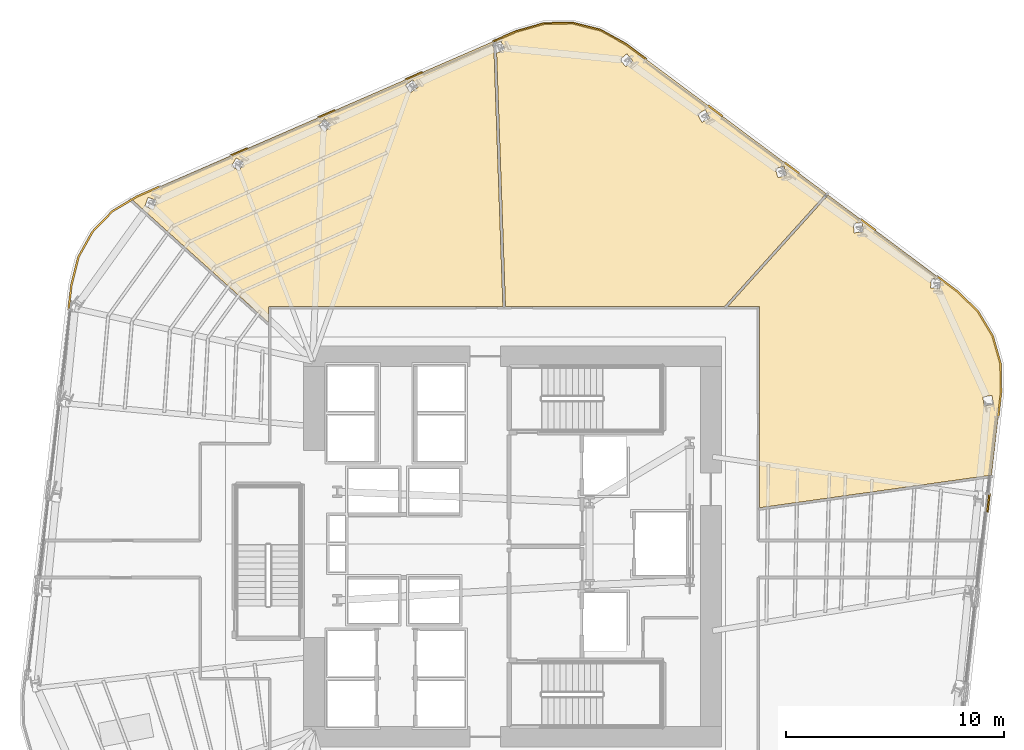
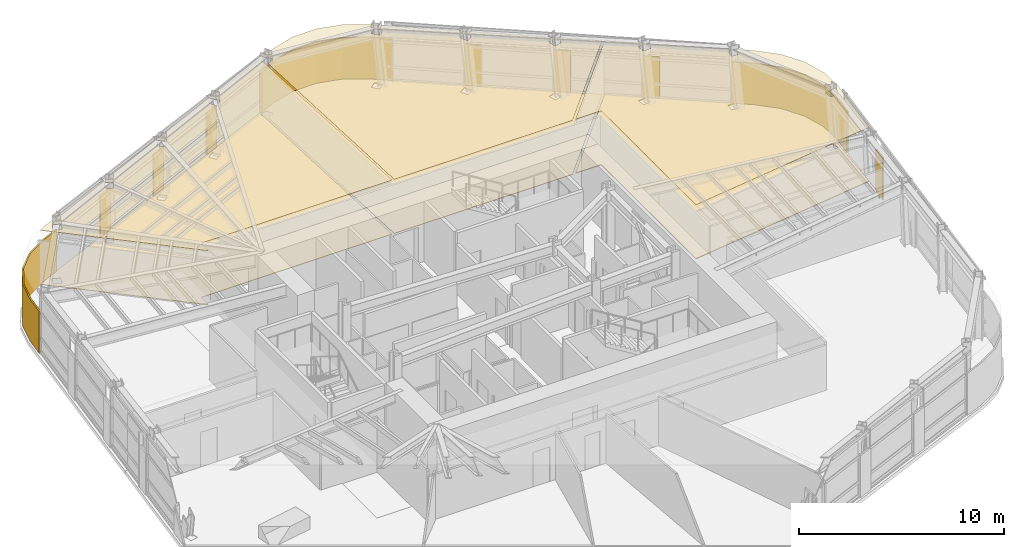
# One storey, part 15 of 16: 16 coverings.
"""IFC4 building model written with IfcOpenShell, lengths in metres."""

from ifc_helpers import new_model, si_unit, direction, frame, origin, place, context, subcontext, project, spatial, polyline, outline, extrude, material, layer, layer_set, type_object, element, save


model = new_model("IFC4")

# Units and contexts
model_context = context("Model", 3, precision=1e-05, world=origin(), true_north=direction((0.0, 1.0)))
body_context = subcontext(model_context, "Body", "Model", "MODEL_VIEW")
ifc_project = project(units=[si_unit("LENGTHUNIT", "METRE"), si_unit("AREAUNIT", "SQUARE_METRE"), si_unit("VOLUMEUNIT", "CUBIC_METRE"), si_unit("PLANEANGLEUNIT", "RADIAN"), si_unit("MASSUNIT", "GRAM", prefix="KILO")], contexts=[model_context])

# Site, building, storey
site_placement = place(None, origin())
site = spatial("IfcSite", under=ifc_project, at=site_placement, CompositionType="ELEMENT")
building_placement = place(site_placement, origin())
building = spatial("IfcBuilding", under=site, at=building_placement, Name="Valkerne Bourse Tower", CompositionType="ELEMENT")
storey_placement = place(building_placement, frame((0.0, 0.0, 123.800048828125)))
storey = spatial("IfcBuildingStorey", under=building, at=storey_placement, Name="L31", CompositionType="ELEMENT", Elevation=123.800048828125)

# Coverings
ifc_material_1 = material(Name="Mineral Fiber Acoustic Ceiling Tile", Category="acoustic")
ifc_layer_1 = layer(ifc_material_1, 0.02490234375)
ifc_layer_set_1 = layer_set([ifc_layer_1], Name="Mineral Fiber Acoustic Ceiling Tile")
covering_type_1 = type_object("IfcCoveringType", Name="COV-CEIL-ACT", PredefinedType="CEILING", material=ifc_layer_set_1)
covering_1_placement = place(storey_placement, frame((0.0, 0.0, 3.22998046875)))
element("IfcCovering", 1, at=covering_1_placement, inside=storey, type_object=covering_type_1, Name="L31 Suspended Ceiling 08", PredefinedType="CEILING", context=body_context, shape_type="SweptSolid", body=[
    extrude(outline(polyline([(68.872314453125, 36.551513671875), (69.23388671875, 35.282470703125), (69.254638671875, 33.953369140625), (68.8232421875, 30.15478515625), (58.1689453125, 28.657470703125), (58.168212890625, 37.861083984375), (58.14599609375, 37.901611328125), (58.103515625, 37.9189453125), (56.7109375, 37.9189453125), (61.31298828125, 43.0302734375), (67.239990234375, 38.60888671875), (68.194580078125, 37.683837890625), (68.872314453125, 36.551513671875)]), holes=[polyline([(68.846923828125, 33.818115234375), (68.845947265625, 33.8212890625), (68.420166015625, 33.747314453125), (68.49072265625, 33.33837890625), (68.49169921875, 33.335205078125), (68.91748046875, 33.4091796875), (68.846923828125, 33.818115234375)]), polyline([(66.47998046875, 39.159423828125), (66.478271484375, 39.162353515625), (66.063720703125, 39.199951171875), (66.022705078125, 38.77099609375), (66.0244140625, 38.768310546875), (66.43896484375, 38.73046875), (66.47998046875, 39.159423828125)]), polyline([(62.92626953125, 41.33544921875), (62.8857421875, 41.7646484375), (62.883544921875, 41.76708984375), (62.46923828125, 41.726318359375), (62.510009765625, 41.297119140625), (62.511962890625, 41.294677734375), (62.92626953125, 41.33544921875)])]), origin(), (0.0, 0.0, 1.0), 0.02490234375),
])
covering_2_placement = place(storey_placement, frame((0.0, 0.0, 3.22998046875)))
element("IfcCovering", 2, at=covering_2_placement, inside=storey, type_object=covering_type_1, Name="L31 Suspended Ceiling 09", PredefinedType="CEILING", context=body_context, shape_type="SweptSolid", body=[
    extrude(outline(polyline([(45.939453125, 49.95458984375), (45.8798828125, 49.92724609375), (45.9453125, 49.78369140625), (46.359619140625, 37.9189453125), (35.6455078125, 37.9189453125), (35.59912109375, 37.89697265625), (35.5810546875, 37.8544921875), (35.5810546875, 37.180908203125), (29.311279296875, 42.826171875), (29.55078125, 42.969482421875), (45.934326171875, 50.100830078125), (45.939453125, 49.95458984375)]), holes=[polyline([(30.43896484375, 42.781005859375), (30.048095703125, 42.92529296875), (30.0458984375, 42.923095703125), (29.898193359375, 42.5185546875), (30.288818359375, 42.374267578125), (30.291259765625, 42.376708984375), (30.43896484375, 42.781005859375)]), polyline([(34.236328125, 44.15283203125), (34.45751953125, 44.5224609375), (34.100830078125, 44.737548828125), (34.098388671875, 44.735595703125), (33.876953125, 44.3662109375), (34.23388671875, 44.15087890625), (34.236328125, 44.15283203125)]), polyline([(38.17431640625, 45.939453125), (38.46630859375, 46.25634765625), (38.16064453125, 46.53955078125), (38.15771484375, 46.5380859375), (37.865966796875, 46.221435546875), (38.17138671875, 45.938232421875), (38.17431640625, 45.939453125)]), polyline([(42.462158203125, 47.989501953125), (42.220703125, 48.328857421875), (42.217529296875, 48.328125), (41.867431640625, 48.077392578125), (42.10888671875, 47.738037109375), (42.112060546875, 47.738525390625), (42.462158203125, 47.989501953125)])]), origin(), (0.0, 0.0, 1.0), 0.02490234375),
])
covering_3_placement = place(storey_placement, frame((0.0, 0.0, 3.22998046875)))
element("IfcCovering", 3, at=covering_3_placement, inside=storey, type_object=covering_type_1, Name="L31 Suspended Ceiling 10", PredefinedType="CEILING", context=body_context, shape_type="SweptSolid", body=[
    extrude(outline(polyline([(49.569580078125, 50.937255859375), (50.849365234375, 50.615966796875), (52.010498046875, 49.969482421875), (61.218017578125, 43.10107421875), (56.552001953125, 37.9189453125), (46.477783203125, 37.9189453125), (46.0712890625, 49.555419921875), (46.447265625, 49.728759765625), (46.274169921875, 50.107666015625), (46.270751953125, 50.107421875), (46.0556640625, 50.00830078125), (46.050537109375, 50.1513671875), (46.97216796875, 50.552490234375), (48.250244140625, 50.91650390625), (49.569580078125, 50.937255859375)]), holes=[polyline([(52.060791015625, 49.527099609375), (52.0576171875, 49.52783203125), (51.738525390625, 49.260498046875), (52.013916015625, 48.92919921875), (52.01708984375, 48.92822265625), (52.336181640625, 49.195556640625), (52.060791015625, 49.527099609375)]), polyline([(59.28076171875, 44.36376953125), (59.2783203125, 44.365478515625), (58.880859375, 44.241455078125), (59.008056640625, 43.82958984375), (59.010498046875, 43.82763671875), (59.407958984375, 43.951904296875), (59.28076171875, 44.36376953125)]), polyline([(55.87841796875, 46.57421875), (55.670166015625, 46.95166015625), (55.667236328125, 46.952880859375), (55.303466796875, 46.75048828125), (55.51171875, 46.373046875), (55.514404296875, 46.371826171875), (55.87841796875, 46.57421875)])]), origin(), (0.0, 0.0, 1.0), 0.02490234375),
])
ifc_material_2 = material(Name="Bronze Anodised Aluminium AA 6063-T6", Category="aluminium")
ifc_layer_2 = layer(ifc_material_2, 0.06005859375)
ifc_layer_set_2 = layer_set([ifc_layer_2], Name="Bronze Anodised Aluminium AA 6063-T6")
covering_type_2 = type_object("IfcCoveringType", Name="COV-CRN-ALUM", PredefinedType="CLADDING", material=ifc_layer_set_2)
covering_4_placement = place(storey_placement, origin())
element("IfcCovering", 4, at=covering_4_placement, inside=storey, type_object=covering_type_2, Name="L31 Wind-Shaped Corner Aluminium Cladding 13", PredefinedType="CLADDING", context=body_context, shape_type="SweptSolid", body=[
    extrude(outline(polyline([(26.483154296875, 38.9052734375), (26.80908203125, 40.202880859375), (27.456298828125, 41.365966796875), (28.3828125, 42.32177734375), (29.53076171875, 43.0087890625), (30.58056640625, 43.4658203125), (30.6123046875, 43.392333984375), (29.5673828125, 42.9375), (28.432861328125, 42.258544921875), (27.521240234375, 41.31787109375), (26.884033203125, 40.173095703125), (26.56201171875, 38.890625), (26.428466796875, 37.7587890625), (26.34912109375, 37.76806640625), (26.483154296875, 38.9052734375)])), origin(), (0.0, 0.0, 1.0), 2.5),
])
covering_5_placement = place(storey_placement, origin())
element("IfcCovering", 5, at=covering_5_placement, inside=storey, type_object=covering_type_2, Name="L31 Wind-Shaped Corner Aluminium Cladding 14", PredefinedType="CLADDING", context=body_context, shape_type="SweptSolid", body=[
    extrude(outline(polyline([(34.599365234375, 45.215087890625), (34.631103515625, 45.1416015625), (33.861083984375, 44.806396484375), (33.8291015625, 44.8798828125), (34.599365234375, 45.215087890625)])), origin(), (0.0, 0.0, 1.0), 2.5),
])
covering_6_placement = place(storey_placement, origin())
element("IfcCovering", 6, at=covering_6_placement, inside=storey, type_object=covering_type_2, Name="L31 Wind-Shaped Corner Aluminium Cladding 15", PredefinedType="CLADDING", context=body_context, shape_type="SweptSolid", body=[
    extrude(outline(polyline([(38.618408203125, 46.96435546875), (38.650146484375, 46.890869140625), (37.8798828125, 46.5556640625), (37.84814453125, 46.629150390625), (38.618408203125, 46.96435546875)])), origin(), (0.0, 0.0, 1.0), 2.5),
])
covering_7_placement = place(storey_placement, origin())
element("IfcCovering", 7, at=covering_7_placement, inside=storey, type_object=covering_type_2, Name="L31 Wind-Shaped Corner Aluminium Cladding 16", PredefinedType="CLADDING", context=body_context, shape_type="SweptSolid", body=[
    extrude(outline(polyline([(42.63720703125, 48.713623046875), (42.6689453125, 48.64013671875), (41.898681640625, 48.304931640625), (41.866943359375, 48.37841796875), (42.63720703125, 48.713623046875)])), origin(), (0.0, 0.0, 1.0), 2.5),
])
covering_8_placement = place(storey_placement, origin())
element("IfcCovering", 8, at=covering_8_placement, inside=storey, type_object=covering_type_2, Name="L31 Wind-Shaped Corner Aluminium Cladding 17", PredefinedType="CLADDING", context=body_context, shape_type="SweptSolid", body=[
    extrude(outline(polyline([(46.957275390625, 50.593994140625), (48.24365234375, 50.96044921875), (49.57470703125, 50.9814453125), (50.86572265625, 50.656982421875), (52.034423828125, 50.006591796875), (52.97119140625, 49.307861328125), (52.923583984375, 49.243408203125), (51.990966796875, 49.939208984375), (50.836181640625, 50.58203125), (49.5654296875, 50.9013671875), (48.255615234375, 50.880615234375), (46.984375, 50.5185546875), (45.91748046875, 50.05419921875), (45.8857421875, 50.127685546875), (46.957275390625, 50.593994140625)])), origin(), (0.0, 0.0, 1.0), 2.5),
])
covering_9_placement = place(storey_placement, origin())
element("IfcCovering", 9, at=covering_9_placement, inside=storey, type_object=covering_type_2, Name="L31 Wind-Shaped Corner Aluminium Cladding 18", PredefinedType="CLADDING", context=body_context, shape_type="SweptSolid", body=[
    extrude(outline(polyline([(56.484619140625, 46.68701171875), (56.43701171875, 46.622802734375), (55.763427734375, 47.125), (55.811279296875, 47.189208984375), (56.484619140625, 46.68701171875)])), origin(), (0.0, 0.0, 1.0), 2.5),
])
covering_10_placement = place(storey_placement, origin())
element("IfcCovering", 10, at=covering_10_placement, inside=storey, type_object=covering_type_2, Name="L31 Wind-Shaped Corner Aluminium Cladding 19", PredefinedType="CLADDING", context=body_context, shape_type="SweptSolid", body=[
    extrude(outline(polyline([(59.997802734375, 44.06640625), (59.949951171875, 44.002197265625), (59.276611328125, 44.50439453125), (59.32421875, 44.568603515625), (59.997802734375, 44.06640625)])), origin(), (0.0, 0.0, 1.0), 2.5),
])
covering_11_placement = place(storey_placement, origin())
element("IfcCovering", 11, at=covering_11_placement, inside=storey, type_object=covering_type_2, Name="L31 Wind-Shaped Corner Aluminium Cladding 20", PredefinedType="CLADDING", context=body_context, shape_type="SweptSolid", body=[
    extrude(outline(polyline([(63.510986328125, 41.445556640625), (63.46337890625, 41.38134765625), (62.789794921875, 41.883544921875), (62.837646484375, 41.94775390625), (63.510986328125, 41.445556640625)])), origin(), (0.0, 0.0, 1.0), 2.5),
])
covering_12_placement = place(storey_placement, origin())
element("IfcCovering", 12, at=covering_12_placement, inside=storey, type_object=covering_type_2, Name="L31 Wind-Shaped Corner Aluminium Cladding 21", PredefinedType="CLADDING", context=body_context, shape_type="SweptSolid", body=[
    extrude(outline(polyline([(67.2685546875, 38.642333984375), (68.2294921875, 37.711181640625), (68.9130859375, 36.569091796875), (69.277587890625, 35.2890625), (69.298583984375, 33.951416015625), (69.16943359375, 32.8134765625), (69.090087890625, 32.822509765625), (69.218505859375, 33.955078125), (69.197998046875, 35.277099609375), (68.839111328125, 36.537109375), (68.166259765625, 37.6611328125), (67.216796875, 38.581298828125), (66.302978515625, 39.262939453125), (66.3505859375, 39.3271484375), (67.2685546875, 38.642333984375)])), origin(), (0.0, 0.0, 1.0), 2.5),
])
covering_13_placement = place(storey_placement, origin())
element("IfcCovering", 13, at=covering_13_placement, inside=storey, type_object=covering_type_2, Name="L31 Wind-Shaped Corner Aluminium Cladding 22", PredefinedType="CLADDING", context=body_context, shape_type="SweptSolid", body=[
    extrude(outline(polyline([(68.675048828125, 28.45849609375), (68.595458984375, 28.467529296875), (68.690185546875, 29.30224609375), (68.769775390625, 29.29296875), (68.675048828125, 28.45849609375)])), origin(), (0.0, 0.0, 1.0), 2.5),
])
ifc_material_3 = material(Name="Galvanised Painted Steel", Category="steel")
ifc_layer_3 = layer(ifc_material_3, 0.044921875)
ifc_layer_set_3 = layer_set([ifc_layer_3], Name="Galvanised Painted Steel")
covering_type_3 = type_object("IfcCoveringType", Name="COV-FLR-RAF", PredefinedType="FLOORING", material=ifc_layer_set_3)
covering_14_placement = place(storey_placement, origin())
element("IfcCovering", 14, at=covering_14_placement, inside=storey, type_object=covering_type_3, Name="L31 Floor Finish 08", PredefinedType="FLOORING", context=body_context, shape_type="SweptSolid", body=[
    extrude(outline(polyline([(68.872314453125, 36.551513671875), (69.23388671875, 35.282470703125), (69.254638671875, 33.953369140625), (68.8232421875, 30.15478515625), (58.1689453125, 28.657470703125), (58.168212890625, 37.861083984375), (58.14599609375, 37.901611328125), (58.103515625, 37.9189453125), (56.7109375, 37.9189453125), (61.31298828125, 43.0302734375), (67.239990234375, 38.60888671875), (68.194580078125, 37.683837890625), (68.872314453125, 36.551513671875)]), holes=[polyline([(68.846923828125, 33.818115234375), (68.845947265625, 33.8212890625), (68.420166015625, 33.747314453125), (68.49072265625, 33.33837890625), (68.49169921875, 33.335205078125), (68.91748046875, 33.4091796875), (68.846923828125, 33.818115234375)]), polyline([(66.47998046875, 39.159423828125), (66.478271484375, 39.162353515625), (66.063720703125, 39.199951171875), (66.022705078125, 38.77099609375), (66.0244140625, 38.768310546875), (66.43896484375, 38.73046875), (66.47998046875, 39.159423828125)]), polyline([(62.92626953125, 41.33544921875), (62.8857421875, 41.7646484375), (62.883544921875, 41.76708984375), (62.46923828125, 41.726318359375), (62.510009765625, 41.297119140625), (62.511962890625, 41.294677734375), (62.92626953125, 41.33544921875)])]), origin(), (0.0, 0.0, 1.0), 0.044921875),
])
ifc_material_4 = material(Name="Polished Granite Stone", Category="masonry")
ifc_layer_4 = layer(ifc_material_4, 0.030029296875)
ifc_layer_set_4 = layer_set([ifc_layer_4], Name="Polished Granite Stone")
covering_type_4 = type_object("IfcCoveringType", Name="COV-FLR-TERRAZZO", PredefinedType="FLOORING", material=ifc_layer_set_4)
covering_15_placement = place(storey_placement, origin())
element("IfcCovering", 15, at=covering_15_placement, inside=storey, type_object=covering_type_4, Name="L31 Floor Finish 09", PredefinedType="FLOORING", context=body_context, shape_type="SweptSolid", body=[
    extrude(outline(polyline([(45.939453125, 49.95458984375), (45.8798828125, 49.92724609375), (45.9453125, 49.78369140625), (46.359619140625, 37.9189453125), (35.6455078125, 37.9189453125), (35.59912109375, 37.89697265625), (35.5810546875, 37.8544921875), (35.5810546875, 37.180908203125), (29.311279296875, 42.826171875), (29.55078125, 42.969482421875), (45.934326171875, 50.100830078125), (45.939453125, 49.95458984375)]), holes=[polyline([(30.43896484375, 42.781005859375), (30.048095703125, 42.92529296875), (30.0458984375, 42.923095703125), (29.898193359375, 42.5185546875), (30.288818359375, 42.374267578125), (30.291259765625, 42.376708984375), (30.43896484375, 42.781005859375)]), polyline([(34.236328125, 44.15283203125), (34.45751953125, 44.5224609375), (34.100830078125, 44.737548828125), (34.098388671875, 44.735595703125), (33.876953125, 44.3662109375), (34.23388671875, 44.15087890625), (34.236328125, 44.15283203125)]), polyline([(38.17431640625, 45.939453125), (38.46630859375, 46.25634765625), (38.16064453125, 46.53955078125), (38.15771484375, 46.5380859375), (37.865966796875, 46.221435546875), (38.17138671875, 45.938232421875), (38.17431640625, 45.939453125)]), polyline([(42.462158203125, 47.989501953125), (42.220703125, 48.328857421875), (42.217529296875, 48.328125), (41.867431640625, 48.077392578125), (42.10888671875, 47.738037109375), (42.112060546875, 47.738525390625), (42.462158203125, 47.989501953125)])]), origin(), (0.0, 0.0, 1.0), 0.030029296875),
])
covering_16_placement = place(storey_placement, origin())
element("IfcCovering", 16, at=covering_16_placement, inside=storey, type_object=covering_type_4, Name="L31 Floor Finish 10", PredefinedType="FLOORING", context=body_context, shape_type="SweptSolid", body=[
    extrude(outline(polyline([(49.569580078125, 50.937255859375), (50.849365234375, 50.615966796875), (52.010498046875, 49.969482421875), (61.218017578125, 43.10107421875), (56.552001953125, 37.9189453125), (46.477783203125, 37.9189453125), (46.0712890625, 49.555419921875), (46.447265625, 49.728759765625), (46.274169921875, 50.107666015625), (46.270751953125, 50.107421875), (46.0556640625, 50.00830078125), (46.050537109375, 50.1513671875), (46.97216796875, 50.552490234375), (48.250244140625, 50.91650390625), (49.569580078125, 50.937255859375)]), holes=[polyline([(52.060791015625, 49.527099609375), (52.0576171875, 49.52783203125), (51.738525390625, 49.260498046875), (52.013916015625, 48.92919921875), (52.01708984375, 48.92822265625), (52.336181640625, 49.195556640625), (52.060791015625, 49.527099609375)]), polyline([(59.28076171875, 44.36376953125), (59.2783203125, 44.365478515625), (58.880859375, 44.241455078125), (59.008056640625, 43.82958984375), (59.010498046875, 43.82763671875), (59.407958984375, 43.951904296875), (59.28076171875, 44.36376953125)]), polyline([(55.87841796875, 46.57421875), (55.670166015625, 46.95166015625), (55.667236328125, 46.952880859375), (55.303466796875, 46.75048828125), (55.51171875, 46.373046875), (55.514404296875, 46.371826171875), (55.87841796875, 46.57421875)])]), origin(), (0.0, 0.0, 1.0), 0.030029296875),
])

save(model, "model.ifc")
